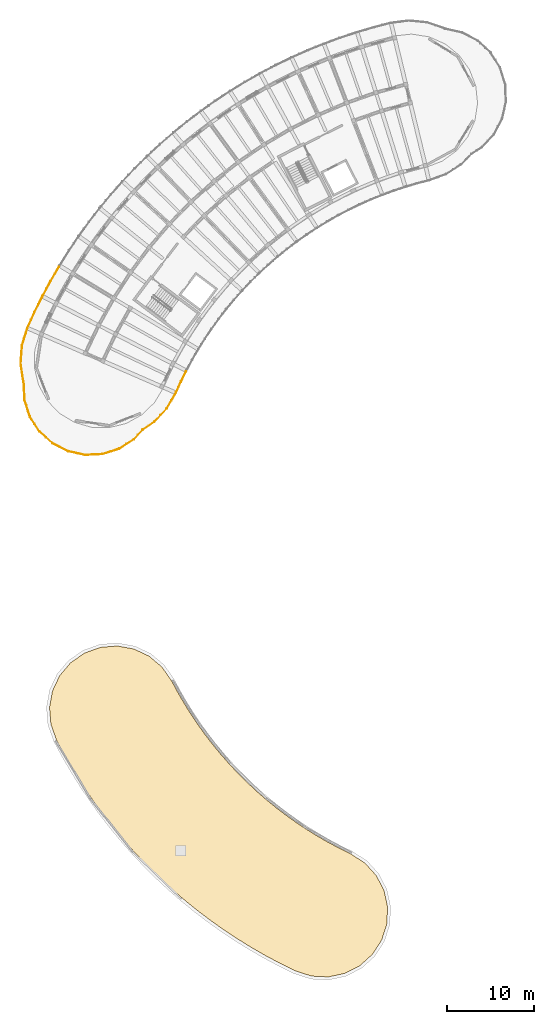
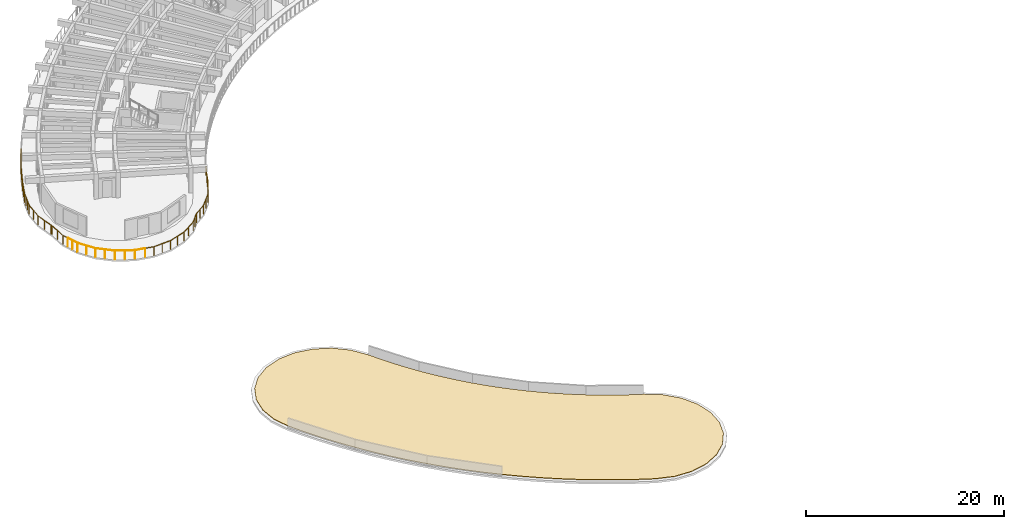
# One storey, part 29 of 36: 5 railings, 1 covering.
"""IFC4 building model written with IfcOpenShell, lengths in metres."""

import ifcopenshell
import ifcopenshell.guid

model = None  # the IFC model being written
_history = None  # IfcOwnerHistory: only IFC2X3 demands one
_inside = {}  # id of a spatial element -> (the spatial element, [elements in it])
_under = {}  # id of a project, library or spatial element -> (it, [spatial elements below it])
_declared = {}  # id of a project -> (the project, [libraries it declares])
_typed = {}  # id of a type object -> (the type object, [elements of that type])
_made_of = {}  # id of a material, layer set ... -> (it, [elements and type objects made of it])


def new_model(schema):
    """Start an empty IFC model of exactly this schema.

    Asked for "IFC4X3", IfcOpenShell would pick the latest addendum, in which some entities
    have other attributes; the version numbers below select the first issue.
    IFC2X3 requires an IfcOwnerHistory on every rooted entity: one is made here for all.
    """
    global model, _history
    if schema == "IFC4X3":
        model = ifcopenshell.file(schema_version=(4, 3, 0, 0))
    else:
        model = ifcopenshell.file(schema=schema)
    _inside.clear()
    _under.clear()
    _declared.clear()
    _typed.clear()
    _made_of.clear()
    _history = None
    if model.schema == "IFC2X3":
        org = make("IfcOrganization", Name="unknown")
        user = make(
            "IfcPersonAndOrganization",
            ThePerson=make("IfcPerson", FamilyName="unknown"),
            TheOrganization=org,
        )
        app = make(
            "IfcApplication",
            ApplicationDeveloper=org,
            Version="unknown",
            ApplicationFullName="unknown",
            ApplicationIdentifier="unknown",
        )
        _history = make(
            "IfcOwnerHistory",
            OwningUser=user,
            OwningApplication=app,
            ChangeAction="ADDED",
            CreationDate=0,
        )
    return model


def make(cls, **values):
    """One entity of the class cls with the attributes given. An attribute that is None is left unset."""
    return model.create_entity(
        cls, **{name: value for name, value in values.items() if value is not None}
    )


def rooted(cls, **values):
    """An entity with a GlobalId (a new one), such as an element, a storey or a relation."""
    return make(cls, GlobalId=ifcopenshell.guid.new(), OwnerHistory=_history, **values)


def si_unit(unit_type, name, prefix=None):
    """IfcSIUnit, for example si_unit("LENGTHUNIT", "METRE", prefix="MILLI")."""
    return make("IfcSIUnit", UnitType=unit_type, Prefix=prefix, Name=name)


def assignment(units):
    """IfcUnitAssignment: the units of a project."""
    return None if units is None else make("IfcUnitAssignment", Units=units)


def point(xyz):
    """IfcCartesianPoint."""
    return None if xyz is None else make("IfcCartesianPoint", Coordinates=xyz)


def direction(xyz):
    """IfcDirection."""
    return None if xyz is None else make("IfcDirection", DirectionRatios=xyz)


def frame(location, z_axis=None, x_axis=None):
    """IfcAxis2Placement3D, a coordinate frame: its origin and axes. An axis left out is left unset."""
    return make(
        "IfcAxis2Placement3D",
        Location=point(location),
        Axis=direction(z_axis),
        RefDirection=direction(x_axis),
    )


def frame_2d(location, x_axis=None):
    """IfcAxis2Placement2D, a coordinate frame in the plane: its origin and x axis."""
    return make(
        "IfcAxis2Placement2D", Location=point(location), RefDirection=direction(x_axis)
    )


def origin():
    """The frame at (0, 0, 0) with its axes left unset."""
    return frame((0.0, 0.0, 0.0))


def origin_2d():
    """The frame at (0, 0) in the plane with its x axis left unset."""
    return frame_2d((0.0, 0.0))


def place(relative_to, where):
    """IfcLocalPlacement: puts the frame where relative to a parent placement (None: the world)."""
    return make(
        "IfcLocalPlacement", PlacementRelTo=relative_to, RelativePlacement=where
    )


def context(
    kind, dimensions, precision=None, world=None, true_north=None, identifier=None
):
    """IfcGeometricRepresentationContext, for example the 3D "Model" context."""
    return make(
        "IfcGeometricRepresentationContext",
        ContextIdentifier=identifier,
        ContextType=kind,
        CoordinateSpaceDimension=dimensions,
        Precision=precision,
        WorldCoordinateSystem=world,
        TrueNorth=true_north,
    )


def subcontext(parent, identifier, kind, view, scale=None):
    """IfcGeometricRepresentationSubContext, for example "Body" below "Model"."""
    return make(
        "IfcGeometricRepresentationSubContext",
        ContextIdentifier=identifier,
        ContextType=kind,
        ParentContext=parent,
        TargetScale=scale,
        TargetView=view,
    )


def project(units=None, contexts=None):
    """IfcProject with its units and contexts."""
    return rooted(
        "IfcProject",
        Name="project",
        RepresentationContexts=contexts,
        UnitsInContext=assignment(units),
    )


def spatial(cls, under=None, at=None, **own):
    """A site, building, storey or space (cls), placed at a placement, below another one or the project."""
    s = rooted(cls, ObjectPlacement=at, **own)
    if under is not None:
        _under.setdefault(under.id(), (under, []))[1].append(s)
    return s


def polyline(points):
    """IfcPolyline through the points."""
    return make("IfcPolyline", Points=[point(p) for p in points])


def profile(cls, at=None, kind="AREA", **sizes):
    """A parametric profile (cls). Its sizes go by their IFC names, for example OverallWidth=200.0."""
    return make(cls, ProfileType=kind, Position=at, **sizes)


def circle(**sizes):
    """IfcCircleProfileDef."""
    return profile("IfcCircleProfileDef", **sizes)


def outline(outer, holes=None, kind="AREA"):
    """IfcArbitraryClosedProfileDef: a profile drawn as a closed curve; with holes, ...WithVoids."""
    if holes is None:
        return make("IfcArbitraryClosedProfileDef", ProfileType=kind, OuterCurve=outer)
    return make(
        "IfcArbitraryProfileDefWithVoids",
        ProfileType=kind,
        OuterCurve=outer,
        InnerCurves=holes,
    )


def extrude(swept, where, along, depth):
    """IfcExtrudedAreaSolid: the profile swept, set in the frame where, extruded along a direction by depth."""
    return make(
        "IfcExtrudedAreaSolid",
        SweptArea=swept,
        Position=where,
        ExtrudedDirection=direction(along),
        Depth=depth,
    )


def shape(context_of_items, identifier, shape_type, items):
    """IfcShapeRepresentation: the items that make up one representation, for example the "Body"."""
    return make(
        "IfcShapeRepresentation",
        ContextOfItems=context_of_items,
        RepresentationIdentifier=identifier,
        RepresentationType=shape_type,
        Items=items,
    )


def material(Name=None, Category=None):
    """IfcMaterial."""
    return make("IfcMaterial", Name=Name, Category=Category)


def layer(
    of_material, thickness, ventilated=None, Name=None, Category=None, Priority=None
):
    """IfcMaterialLayer: one layer of a wall or slab, of a material (None: an air gap)."""
    return make(
        "IfcMaterialLayer",
        Material=of_material,
        LayerThickness=thickness,
        IsVentilated=ventilated,
        Name=Name,
        Category=Category,
        Priority=Priority,
    )


def layer_set(layers, Name=None):
    """IfcMaterialLayerSet."""
    return make("IfcMaterialLayerSet", MaterialLayers=layers, LayerSetName=Name)


def made_of(thing, what):
    """Note that an element or type object is made of a material, layer set ...; save() writes the relation."""
    if what is not None:
        _made_of.setdefault(what.id(), (what, []))[1].append(thing)
    return thing


def type_object(cls, material=None, **own):
    """A type object (cls), such as IfcWallType, which elements share."""
    return made_of(rooted(cls, **own), material)


def element(
    cls,
    number,
    at=None,
    inside=None,
    cuts=None,
    type_object=None,
    material=None,
    context=None,
    identifier="Body",
    shape_type=None,
    held_by="IfcProductDefinitionShape",
    body=None,
    shapes=None,
    **own,
):
    """One element of the class cls, such as IfcWall. Its Tag is "e" and its number.

    at: its placement. inside: the storey or other place that contains it. cuts: it is an
    opening in that element (IfcRelVoidsElement). A single representation is given by context,
    identifier, shape_type and body (its items); several are given by shapes. held_by: the class
    of the entity that holds the representations. save() writes the other relations.
    """
    e = rooted(cls, Tag="e%d" % number, ObjectPlacement=at, **own)
    if body is not None:
        shapes = [shape(context, identifier, shape_type, body)]
    if shapes is not None:
        e.Representation = make(held_by, Representations=shapes)
    if inside is not None:
        _inside.setdefault(inside.id(), (inside, []))[1].append(e)
    if cuts is not None:
        rooted(
            "IfcRelVoidsElement", RelatingBuildingElement=cuts, RelatedOpeningElement=e
        )
    if type_object is not None:
        _typed.setdefault(type_object.id(), (type_object, []))[1].append(e)
    return made_of(e, material)


def aggregate(whole, parts):
    """IfcRelAggregates: a whole, such as a stair, and the parts it consists of."""
    return rooted("IfcRelAggregates", RelatingObject=whole, RelatedObjects=parts)


def save(model, path):
    """Write the relations noted so far, then the file.

    IfcRelAggregates (storeys below a building ...), IfcRelContainedInSpatialStructure (elements
    in a storey), IfcRelDefinesByType, IfcRelAssociatesMaterial and IfcRelDeclares: one each for
    every whole, place, type object, material and project.
    """
    for whole, parts in _under.values():
        aggregate(whole, parts)
    for where, things in _inside.values():
        rooted(
            "IfcRelContainedInSpatialStructure",
            RelatedElements=things,
            RelatingStructure=where,
        )
    for kind, things in _typed.values():
        rooted("IfcRelDefinesByType", RelatedObjects=things, RelatingType=kind)
    for what, things in _made_of.values():
        rooted("IfcRelAssociatesMaterial", RelatedObjects=things, RelatingMaterial=what)
    for by, libraries in _declared.values():
        rooted("IfcRelDeclares", RelatingContext=by, RelatedDefinitions=libraries)
    model.write(path)


model = new_model("IFC4")

# Units and contexts
model_context = context("Model", 3, precision=1e-05, world=origin(), true_north=direction((0.0, 1.0)))
body_context = subcontext(model_context, "Body", "Model", "MODEL_VIEW")
ifc_project = project(units=[si_unit("LENGTHUNIT", "METRE"), si_unit("AREAUNIT", "SQUARE_METRE"), si_unit("VOLUMEUNIT", "CUBIC_METRE"), si_unit("PLANEANGLEUNIT", "RADIAN"), si_unit("MASSUNIT", "GRAM", prefix="KILO")], contexts=[model_context])

# Site, building, storey
site_placement = place(None, origin())
site = spatial("IfcSite", under=ifc_project, at=site_placement, CompositionType="ELEMENT")
building_placement = place(site_placement, origin())
building = spatial("IfcBuilding", under=site, at=building_placement, Name="Tanwirah Colonnade Gardens", CompositionType="ELEMENT")
storey_placement = place(building_placement, frame((0.0, 0.0, 39.080078125)))
storey = spatial("IfcBuildingStorey", under=building, at=storey_placement, Name="L11", CompositionType="ELEMENT", Elevation=39.080078125)

# Railings
ifc_material_1 = material(Name="Precast concrete C40/50", Category="concrete")
railing_type = type_object("IfcRailingType", Name="BAL-EXT112", PredefinedType="BALUSTRADE", material=ifc_material_1)
railing_1_placement = place(storey_placement, frame((27.052734375, 79.73193359375, 0.0)))
element("IfcRailing", 1, at=railing_1_placement, inside=storey, type_object=railing_type, Name="Block A L11 Balcony Ribbon Balustrade 6", PredefinedType="BALUSTRADE", context=body_context, shape_type="SweptSolid", body=[
    extrude(circle(Radius=0.02392578125, at=origin_2d()), frame((-0.013916015625, -0.028076171875, 1.09619140625), z_axis=(-0.44442689047, -0.895815125473, 0.0), x_axis=(0.895815125473, -0.44442689047, 0.0)), (0.0, 0.0, 1.0), 1.270263671875),
    extrude(circle(Radius=0.02392578125, at=origin_2d()), frame((-0.6064453125, -1.224853515625, 1.09619140625), z_axis=(-0.414708968171, -0.909954104183, 0.0), x_axis=(0.909954104183, -0.414708968171, 0.0)), (0.0, 0.0, 1.0), 1.337890625),
    extrude(circle(Radius=0.02392578125, at=origin_2d()), frame((-1.18994140625, -2.497802734375, 1.09619140625), z_axis=(-0.499729188924, -0.866181700186, 0.0), x_axis=(0.866181700186, -0.499729188924, 0.0)), (0.0, 0.0, 1.0), 2.029541015625),
    extrude(circle(Radius=0.02392578125, at=origin_2d()), frame((-2.240966796875, -4.3056640625, 1.09619140625), z_axis=(-0.679930414178, -0.733276640755, 0.0), x_axis=(0.733276640755, -0.679930414178, 0.0)), (0.0, 0.0, 1.0), 2.0244140625),
    extrude(circle(Radius=0.02392578125, at=origin_2d()), frame((-3.66455078125, -5.83056640625, 1.09619140625), z_axis=(-0.82610350755, -0.56351840681, 0.0), x_axis=(0.56351840681, -0.82610350755, 0.0)), (0.0, 0.0, 1.0), 1.522705078125),
    extrude(circle(Radius=0.02099609375, at=origin_2d()), origin(), (0.0, 0.0, 1.0), 1.069091796875),
    extrude(circle(Radius=0.02099609375, at=origin_2d()), frame((-0.59228515625, -1.19384765625, 0.0)), (0.0, 0.0, 1.0), 1.069091796875),
    extrude(circle(Radius=0.02099609375, at=origin_2d()), frame((-0.8837890625, -1.83349609375, 0.0)), (0.0, 0.0, 1.0), 1.069091796875),
    extrude(circle(Radius=0.02099609375, at=origin_2d()), frame((-1.17431640625, -2.470703125, 0.0)), (0.0, 0.0, 1.0), 1.069091796875),
    extrude(circle(Radius=0.02099609375, at=origin_2d()), frame((-1.697021484375, -3.376708984375, 0.0)), (0.0, 0.0, 1.0), 1.069091796875),
    extrude(circle(Radius=0.02099609375, at=origin_2d()), frame((-2.2197265625, -4.28271484375, 0.0)), (0.0, 0.0, 1.0), 1.069091796875),
    extrude(circle(Radius=0.02099609375, at=origin_2d()), frame((-2.92919921875, -5.0478515625, 0.0)), (0.0, 0.0, 1.0), 1.069091796875),
    extrude(circle(Radius=0.02099609375, at=origin_2d()), frame((-3.638671875, -5.81298828125, 0.0)), (0.0, 0.0, 1.0), 1.069091796875),
    extrude(circle(Radius=0.02099609375, at=origin_2d()), frame((-4.29345703125, -6.259765625, 0.0)), (0.0, 0.0, 1.0), 1.069091796875),
    extrude(circle(Radius=0.02099609375, at=origin_2d()), frame((-4.9482421875, -6.706298828125, 0.0)), (0.0, 0.0, 1.0), 1.069091796875),
])
railing_2_placement = place(storey_placement, frame((22.1044921875, 73.025634765625, 0.0)))
element("IfcRailing", 2, at=railing_2_placement, inside=storey, type_object=railing_type, Name="Block A L11 Balcony Ribbon Balustrade 7", PredefinedType="BALUSTRADE", context=body_context, shape_type="SweptSolid", body=[
    extrude(circle(Radius=0.02392578125, at=origin_2d()), frame((-0.02587890625, -0.017578125, 1.09619140625), z_axis=(-0.825929039072, -0.563774088104, 0.0), x_axis=(0.563774088104, -0.825929039072, 0.0)), (0.0, 0.0, 1.0), 0.024169921875),
    extrude(circle(Radius=0.02392578125, at=origin_2d()), frame((-0.106689453125, -0.084228515625, 1.09619140625), z_axis=(-0.672664337011, -0.739947761476, 0.0), x_axis=(0.739947761476, -0.672664337011, 0.0)), (0.0, 0.0, 1.0), 1.374267578125),
    extrude(circle(Radius=0.02392578125, at=origin_2d()), frame((-1.07861328125, -1.14111328125, 1.09619140625), z_axis=(-0.841324076442, -0.540531033706, 0.0), x_axis=(0.540531033706, -0.841324076442, 0.0)), (0.0, 0.0, 1.0), 1.952880859375),
    extrude(circle(Radius=0.02392578125, at=origin_2d()), frame((-2.777587890625, -2.22314453125, 1.09619140625), z_axis=(-0.952559105653, -0.304353659807, 0.0), x_axis=(0.304353659807, -0.952559105653, 0.0)), (0.0, 0.0, 1.0), 1.952392578125),
    extrude(circle(Radius=0.02392578125, at=origin_2d()), frame((-4.698486328125, -2.828369140625, 1.09619140625), z_axis=(-0.998871698121, -0.047490322094, 0.0), x_axis=(0.047490322094, -0.998871698121, 0.0)), (0.0, 0.0, 1.0), 1.95263671875),
    extrude(circle(Radius=0.02392578125, at=origin_2d()), frame((-6.710693359375, -2.916015625, 1.09619140625), z_axis=(-0.977159452062, 0.212507423976, 0.0), x_axis=(-0.212507423976, -0.977159452062, 0.0)), (0.0, 0.0, 1.0), 0.849609375),
    extrude(circle(Radius=0.02099609375, at=origin_2d()), origin(), (0.0, 0.0, 1.0), 1.069091796875),
    extrude(circle(Radius=0.02099609375, at=origin_2d()), frame((-0.071533203125, -0.048828125, 0.0)), (0.0, 0.0, 1.0), 1.069091796875),
    extrude(circle(Radius=0.02099609375, at=origin_2d()), frame((-0.56884765625, -0.5927734375, 0.0)), (0.0, 0.0, 1.0), 1.069091796875),
    extrude(circle(Radius=0.02099609375, at=origin_2d()), frame((-1.05224609375, -1.124267578125, 0.0)), (0.0, 0.0, 1.0), 1.069091796875),
    extrude(circle(Radius=0.02099609375, at=origin_2d()), frame((-1.89990234375, -1.6689453125, 0.0)), (0.0, 0.0, 1.0), 1.069091796875),
    extrude(circle(Radius=0.02099609375, at=origin_2d()), frame((-2.747802734375, -2.213623046875, 0.0)), (0.0, 0.0, 1.0), 1.069091796875),
    extrude(circle(Radius=0.02099609375, at=origin_2d()), frame((-3.70751953125, -2.520263671875, 0.0)), (0.0, 0.0, 1.0), 1.069091796875),
    extrude(circle(Radius=0.02099609375, at=origin_2d()), frame((-4.667236328125, -2.826904296875, 0.0)), (0.0, 0.0, 1.0), 1.069091796875),
    extrude(circle(Radius=0.02099609375, at=origin_2d()), frame((-5.673828125, -2.874755859375, 0.0)), (0.0, 0.0, 1.0), 1.069091796875),
    extrude(circle(Radius=0.02099609375, at=origin_2d()), frame((-6.68017578125, -2.922607421875, 0.0)), (0.0, 0.0, 1.0), 1.069091796875),
    extrude(circle(Radius=0.02099609375, at=origin_2d()), frame((-7.571533203125, -2.728759765625, 0.0)), (0.0, 0.0, 1.0), 1.069091796875),
])
railing_3_placement = place(storey_placement, frame((14.532958984375, 70.296875, 0.0)))
element("IfcRailing", 3, at=railing_3_placement, inside=storey, type_object=railing_type, Name="Block A L11 Balcony Ribbon Balustrade 8", PredefinedType="BALUSTRADE", context=body_context, shape_type="SweptSolid", body=[
    extrude(circle(Radius=0.02392578125, at=origin_2d()), frame((-0.030517578125, 0.006591796875, 1.09619140625), z_axis=(-0.977110386494, 0.212732913779, 0.0), x_axis=(-0.212732913779, -0.977110386494, 0.0)), (0.0, 0.0, 1.0), 1.040283203125),
    extrude(circle(Radius=0.02392578125, at=origin_2d()), frame((-1.10546875, 0.2490234375, 1.09619140625), z_axis=(-0.888784660637, 0.458325023336, 0.0), x_axis=(-0.458325023336, -0.888784660637, 0.0)), (0.0, 0.0, 1.0), 1.95263671875),
    extrude(circle(Radius=0.02392578125, at=origin_2d()), frame((-2.891845703125, 1.17919921875, 1.09619140625), z_axis=(-0.739929108518, 0.672684855165, 0.0), x_axis=(-0.672684855165, -0.739929108518, 0.0)), (0.0, 0.0, 1.0), 1.952392578125),
    extrude(circle(Radius=0.02392578125, at=origin_2d()), frame((-4.37646484375, 2.5400390625, 1.09619140625), z_axis=(-0.540586128447, 0.841288676811, 0.0), x_axis=(-0.841288676811, -0.540586128447, 0.0)), (0.0, 0.0, 1.0), 1.95263671875),
    extrude(circle(Radius=0.02392578125, at=origin_2d()), frame((-5.45849609375, 4.23876953125, 1.09619140625), z_axis=(-0.304336608422, 0.9525645536, 0.0), x_axis=(-0.9525645536, -0.304336608422, 0.0)), (0.0, 0.0, 1.0), 1.289306640625),
    extrude(circle(Radius=0.02099609375, at=origin_2d()), origin(), (0.0, 0.0, 1.0), 1.069091796875),
    extrude(circle(Radius=0.02099609375, at=origin_2d()), frame((-1.07763671875, 0.234619140625, 0.0)), (0.0, 0.0, 1.0), 1.069091796875),
    extrude(circle(Radius=0.02099609375, at=origin_2d()), frame((-1.97314453125, 0.6962890625, 0.0)), (0.0, 0.0, 1.0), 1.069091796875),
    extrude(circle(Radius=0.02099609375, at=origin_2d()), frame((-2.86865234375, 1.158203125, 0.0)), (0.0, 0.0, 1.0), 1.069091796875),
    extrude(circle(Radius=0.02099609375, at=origin_2d()), frame((-3.6142578125, 1.8359375, 0.0)), (0.0, 0.0, 1.0), 1.069091796875),
    extrude(circle(Radius=0.02099609375, at=origin_2d()), frame((-4.359619140625, 2.513671875, 0.0)), (0.0, 0.0, 1.0), 1.069091796875),
    extrude(circle(Radius=0.02099609375, at=origin_2d()), frame((-4.904296875, 3.361328125, 0.0)), (0.0, 0.0, 1.0), 1.069091796875),
    extrude(circle(Radius=0.02099609375, at=origin_2d()), frame((-5.448974609375, 4.208984375, 0.0)), (0.0, 0.0, 1.0), 1.069091796875),
    extrude(circle(Radius=0.02099609375, at=origin_2d()), frame((-5.65478515625, 4.852783203125, 0.0)), (0.0, 0.0, 1.0), 1.069091796875),
    extrude(circle(Radius=0.02099609375, at=origin_2d()), frame((-5.8603515625, 5.49658203125, 0.0)), (0.0, 0.0, 1.0), 1.069091796875),
])
railing_4_placement = place(storey_placement, frame((8.672607421875, 75.79345703125, 0.0)))
element("IfcRailing", 4, at=railing_4_placement, inside=storey, type_object=railing_type, Name="Block A L11 Balcony Ribbon Balustrade 9", PredefinedType="BALUSTRADE", context=body_context, shape_type="SweptSolid", body=[
    extrude(circle(Radius=0.02392578125, at=origin_2d()), frame((-0.009521484375, 0.02978515625, 1.09619140625), z_axis=(-0.304281724876, 0.952582086703, 0.0), x_axis=(-0.952582086703, -0.304281724876, 0.0)), (0.0, 0.0, 1.0), 0.60107421875),
    extrude(circle(Radius=0.02392578125, at=origin_2d()), frame((-0.203369140625, 0.663330078125, 1.09619140625), z_axis=(-0.047553680693, 0.998868683788, 0.0), x_axis=(-0.998868683788, -0.047553680693, 0.0)), (0.0, 0.0, 1.0), 1.960205078125),
    extrude(circle(Radius=0.02392578125, at=origin_2d()), frame((-0.31494140625, 2.707275390625, 1.09619140625), z_axis=(-0.366022423606, 0.93060603126, 0.0), x_axis=(-0.93060603126, -0.366022423606, 0.0)), (0.0, 0.0, 1.0), 0.03955078125),
    extrude(circle(Radius=0.02392578125, at=origin_2d()), frame((-0.345458984375, 2.80419921875, 1.09619140625), z_axis=(-0.149392969894, 0.988777902537, 0.0), x_axis=(-0.988777902537, -0.149392969894, 0.0)), (0.0, 0.0, 1.0), 2.0244140625),
    extrude(circle(Radius=0.02392578125, at=origin_2d()), frame((-0.650146484375, 4.867919921875, 1.09619140625), z_axis=(0.074522374558, 0.997219341815, 0.0), x_axis=(-0.997219341815, 0.074522374558, 0.0)), (0.0, 0.0, 1.0), 2.0244140625),
    extrude(circle(Radius=0.02392578125, at=origin_2d()), frame((-0.48779296875, 6.947509765625, 1.09619140625), z_axis=(0.294437664701, 0.955670686798, 0.0), x_axis=(-0.955670686798, 0.294437664701, 0.0)), (0.0, 0.0, 1.0), 1.448974609375),
    extrude(circle(Radius=0.02099609375, at=origin_2d()), origin(), (0.0, 0.0, 1.0), 1.069091796875),
    extrude(circle(Radius=0.02099609375, at=origin_2d()), frame((-0.201904296875, 0.632080078125, 0.0)), (0.0, 0.0, 1.0), 1.069091796875),
    extrude(circle(Radius=0.02099609375, at=origin_2d()), frame((-0.25, 1.642333984375, 0.0)), (0.0, 0.0, 1.0), 1.069091796875),
    extrude(circle(Radius=0.02099609375, at=origin_2d()), frame((-0.298095703125, 2.652587890625, 0.0)), (0.0, 0.0, 1.0), 1.069091796875),
    extrude(circle(Radius=0.02099609375, at=origin_2d()), frame((-0.3408203125, 2.773193359375, 0.0)), (0.0, 0.0, 1.0), 1.069091796875),
    extrude(circle(Radius=0.02099609375, at=origin_2d()), frame((-0.49658203125, 3.804931640625, 0.0)), (0.0, 0.0, 1.0), 1.069091796875),
    extrude(circle(Radius=0.02099609375, at=origin_2d()), frame((-0.652587890625, 4.836669921875, 0.0)), (0.0, 0.0, 1.0), 1.069091796875),
    extrude(circle(Radius=0.02099609375, at=origin_2d()), frame((-0.57470703125, 5.877197265625, 0.0)), (0.0, 0.0, 1.0), 1.069091796875),
    extrude(circle(Radius=0.02099609375, at=origin_2d()), frame((-0.4970703125, 6.917724609375, 0.0)), (0.0, 0.0, 1.0), 1.069091796875),
    extrude(circle(Radius=0.02099609375, at=origin_2d()), frame((-0.2744140625, 7.64013671875, 0.0)), (0.0, 0.0, 1.0), 1.069091796875),
    extrude(circle(Radius=0.02099609375, at=origin_2d()), frame((-0.052001953125, 8.3623046875, 0.0)), (0.0, 0.0, 1.0), 1.069091796875),
])
railing_5_placement = place(storey_placement, frame((8.62060546875, 84.15576171875, 0.0)))
element("IfcRailing", 5, at=railing_5_placement, inside=storey, type_object=railing_type, Name="Block A L11 Balcony Ribbon Balustrade 10", PredefinedType="BALUSTRADE", context=body_context, shape_type="SweptSolid", body=[
    extrude(circle(Radius=0.02392578125, at=origin_2d()), frame((0.00927734375, 0.02978515625, 1.09619140625), z_axis=(0.294648595697, 0.955605674457, 0.0), x_axis=(-0.955605674457, 0.294648595697, 0.0)), (0.0, 0.0, 1.0), 0.5166015625),
    extrude(circle(Radius=0.02392578125, at=origin_2d()), frame((0.18359375, 0.58203125, 1.09619140625), z_axis=(0.414687086418, 0.909964076411, 0.0), x_axis=(-0.909964076411, 0.414687086418, 0.0)), (0.0, 0.0, 1.0), 1.955078125),
    extrude(circle(Radius=0.02392578125, at=origin_2d()), frame((1.021240234375, 2.41748046875, 1.09619140625), z_axis=(0.444409688214, 0.895823659557, 0.0), x_axis=(-0.895823659557, 0.444409688214, 0.0)), (0.0, 0.0, 1.0), 1.959228515625),
    extrude(circle(Radius=0.02392578125, at=origin_2d()), frame((1.920654296875, 4.22802734375, 1.09619140625), z_axis=(0.473826102441, 0.88061843306, 0.0), x_axis=(-0.88061843306, 0.473826102441, 0.0)), (0.0, 0.0, 1.0), 1.958740234375),
    extrude(circle(Radius=0.02392578125, at=origin_2d()), frame((2.879150390625, 6.007568359375, 1.09619140625), z_axis=(0.502401453938, 0.864634477153, 0.0), x_axis=(-0.864634477153, 0.502401453938, 0.0)), (0.0, 0.0, 1.0), 1.797607421875),
    extrude(circle(Radius=0.02099609375, at=origin_2d()), origin(), (0.0, 0.0, 1.0), 1.069091796875),
    extrude(circle(Radius=0.02099609375, at=origin_2d()), frame((0.170654296875, 0.553466796875, 0.0)), (0.0, 0.0, 1.0), 1.069091796875),
    extrude(circle(Radius=0.02099609375, at=origin_2d()), frame((0.5888671875, 1.471435546875, 0.0)), (0.0, 0.0, 1.0), 1.069091796875),
    extrude(circle(Radius=0.02099609375, at=origin_2d()), frame((1.00732421875, 2.389404296875, 0.0)), (0.0, 0.0, 1.0), 1.069091796875),
    extrude(circle(Radius=0.02099609375, at=origin_2d()), frame((1.45654296875, 3.294921875, 0.0)), (0.0, 0.0, 1.0), 1.069091796875),
    extrude(circle(Radius=0.02099609375, at=origin_2d()), frame((1.90576171875, 4.200439453125, 0.0)), (0.0, 0.0, 1.0), 1.069091796875),
    extrude(circle(Radius=0.02099609375, at=origin_2d()), frame((2.384765625, 5.09033203125, 0.0)), (0.0, 0.0, 1.0), 1.069091796875),
    extrude(circle(Radius=0.02099609375, at=origin_2d()), frame((2.863525390625, 5.98046875, 0.0)), (0.0, 0.0, 1.0), 1.069091796875),
    extrude(circle(Radius=0.02099609375, at=origin_2d()), frame((3.330810546875, 6.78466796875, 0.0)), (0.0, 0.0, 1.0), 1.069091796875),
    extrude(circle(Radius=0.02099609375, at=origin_2d()), frame((3.798095703125, 7.5888671875, 0.0)), (0.0, 0.0, 1.0), 1.069091796875),
])

# Covering
ifc_material_2 = material(Name="Reflective elastomeric membrane and rigid roof insulation")
ifc_layer = layer(ifc_material_2, 0.06005859375)
ifc_layer_set = layer_set([ifc_layer], Name="Reflective elastomeric membrane and rigid roof insulation")
covering_type = type_object("IfcCoveringType", Name="COV-ROOF60", PredefinedType="ROOFING", material=ifc_layer_set)
covering_placement = place(storey_placement, origin())
element("IfcCovering", 6, at=covering_placement, inside=storey, type_object=covering_type, Name="Block C Insulated Roof Membrane Covering", PredefinedType="ROOFING", context=body_context, shape_type="SweptSolid", body=[
    extrude(outline(polyline([(24.283447265625, 45.69775390625), (25.406494140625, 44.078857421875), (26.080078125, 42.82177734375), (26.085693359375, 42.811767578125), (26.810302734375, 41.56005859375), (26.816162109375, 41.550048828125), (27.581298828125, 40.32275390625), (27.587646484375, 40.313232421875), (28.392333984375, 39.111328125), (28.39892578125, 39.10205078125), (29.24267578125, 37.92724609375), (29.24951171875, 37.91796875), (30.13134765625, 36.771484375), (30.138427734375, 36.762451171875), (31.05712890625, 35.6455078125), (31.064697265625, 35.63671875), (32.01953125, 34.55029296875), (32.027099609375, 34.541748046875), (33.01708984375, 33.4873046875), (33.02490234375, 33.47900390625), (34.048828125, 32.45751953125), (34.05712890625, 32.449462890625), (35.11376953125, 31.4619140625), (35.122314453125, 31.4541015625), (36.2109375, 30.501708984375), (36.219482421875, 30.494384765625), (37.338623046875, 29.577880859375), (37.34765625, 29.57080078125), (38.49609375, 28.691650390625), (38.50537109375, 28.684814453125), (39.681884765625, 27.843505859375), (39.69140625, 27.837158203125), (40.894775390625, 27.034912109375), (40.904541015625, 27.028564453125), (42.133544921875, 26.26611328125), (42.143310546875, 26.26025390625), (43.396728515625, 25.53857421875), (43.40673828125, 25.532958984375), (44.68310546875, 24.8525390625), (44.693359375, 24.847412109375), (45.97314453125, 24.2177734375), (47.630126953125, 23.152099609375), (48.937255859375, 21.713134765625), (49.827392578125, 19.98486328125), (50.23974609375, 18.0849609375), (50.146484375, 16.143310546875), (49.553955078125, 14.291748046875), (48.502197265625, 12.65673828125), (47.063232421875, 11.349609375), (45.3349609375, 10.45947265625), (43.43505859375, 10.046875), (41.4931640625, 10.14013671875), (39.62255859375, 10.739013671875), (37.894775390625, 11.588623046875), (36.177978515625, 12.50390625), (34.4921875, 13.474853515625), (32.839111328125, 14.500244140625), (31.220458984375, 15.579345703125), (29.6376953125, 16.710693359375), (28.093017578125, 17.893310546875), (26.587890625, 19.1259765625), (25.1240234375, 20.406982421875), (23.70263671875, 21.7353515625), (22.325439453125, 23.109375), (20.994140625, 24.52783203125), (19.709716796875, 25.989013671875), (18.473876953125, 27.491455078125), (17.2880859375, 29.03369140625), (16.153076171875, 30.61376953125), (15.070556640625, 32.22998046875), (14.04150390625, 33.881103515625), (13.06689453125, 35.564697265625), (12.157470703125, 37.26171875), (11.49365234375, 39.1103515625), (11.332763671875, 41.0478515625), (11.6787109375, 42.9609375), (12.5078125, 44.71923828125), (13.763916015625, 46.202880859375), (15.361328125, 47.31103515625), (17.19091796875, 47.968017578125), (19.12841796875, 48.12890625), (21.04150390625, 47.782958984375), (22.7998046875, 46.953857421875), (24.283447265625, 45.69775390625)])), origin(), (0.0, 0.0, 1.0), 0.059814453125),
])

save(model, "model.ifc")
